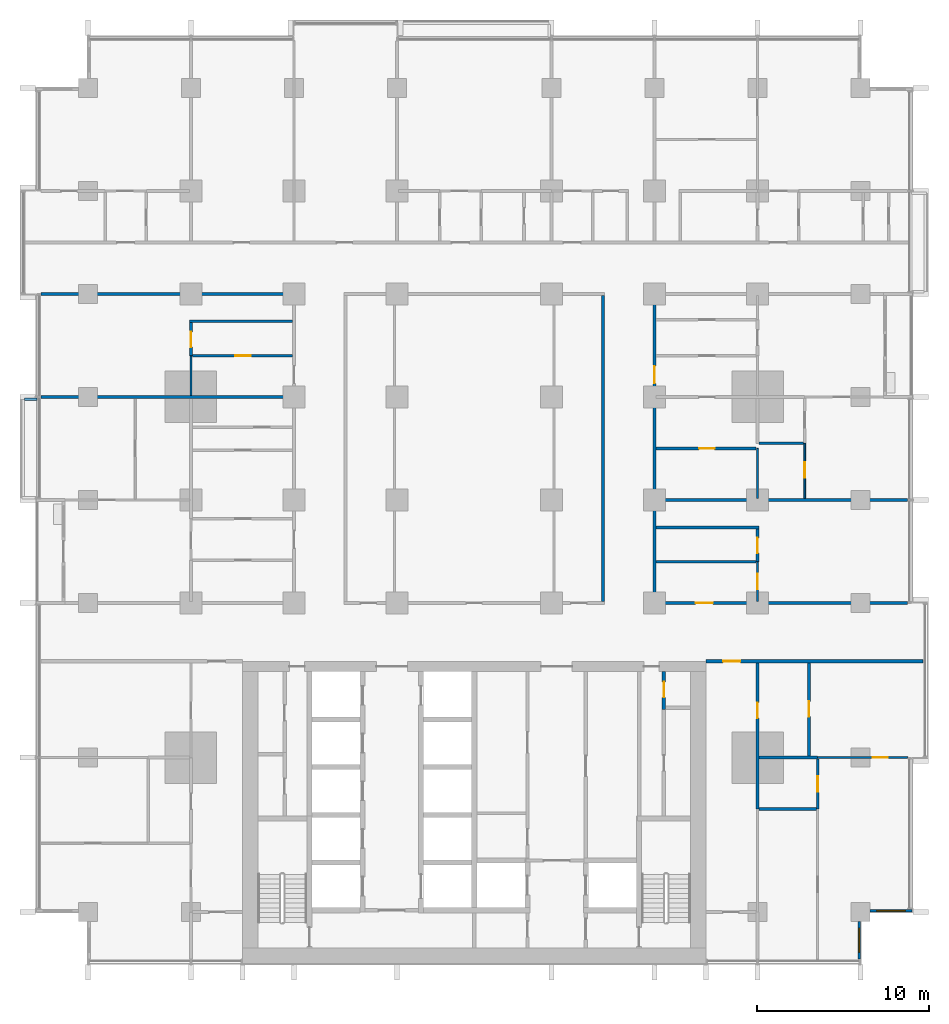
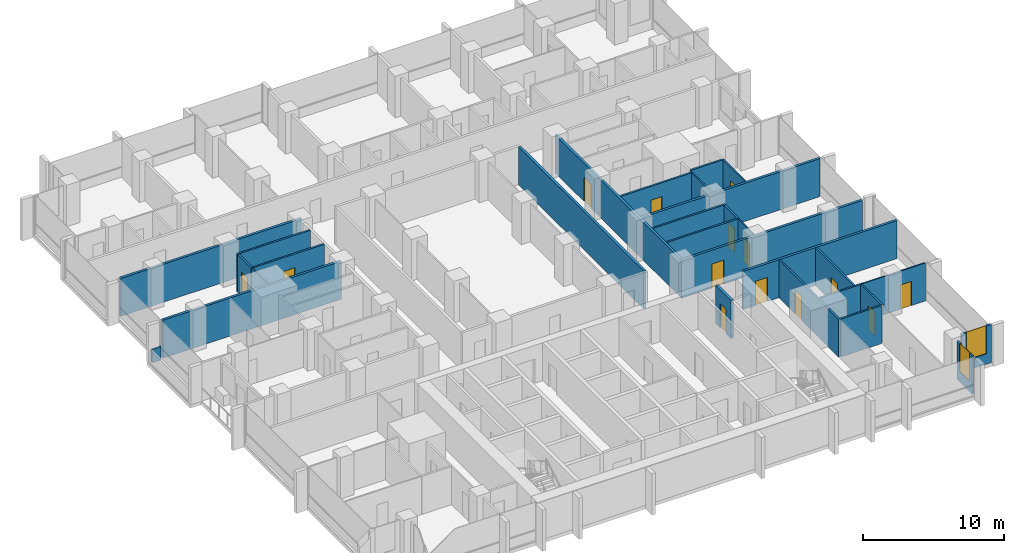
# One storey, part 10 of 18: 29 walls, 14 doors, 2 windows, 16 openings.
"""IFC4 building model written with IfcOpenShell, lengths in metres."""

from ifc_helpers import new_model, si_unit, direction, frame, frame_2d, origin, place, context, subcontext, project, spatial, rectangle, extrude, material, layer, layer_set, type_object, element, fill, save


model = new_model("IFC4")

# Units and contexts
model_context = context("Model", 3, precision=1e-05, world=origin(), true_north=direction((0.0, 1.0)))
body_context = subcontext(model_context, "Body", "Model", "MODEL_VIEW")
ifc_project = project(units=[si_unit("LENGTHUNIT", "METRE"), si_unit("AREAUNIT", "SQUARE_METRE"), si_unit("VOLUMEUNIT", "CUBIC_METRE"), si_unit("PLANEANGLEUNIT", "RADIAN"), si_unit("MASSUNIT", "GRAM", prefix="KILO")], contexts=[model_context])

# Site, building, storey
site_placement = place(None, origin())
site = spatial("IfcSite", under=ifc_project, at=site_placement, CompositionType="ELEMENT")
building_placement = place(site_placement, origin())
building = spatial("IfcBuilding", under=site, at=building_placement, Name="Finial Court Residences", CompositionType="ELEMENT")
storey_placement = place(building_placement, frame((0.0, 0.0, 36.10009765625)))
storey = spatial("IfcBuildingStorey", under=building, at=storey_placement, Name="L07", CompositionType="ELEMENT", Elevation=36.10009765625)

# Walls
ifc_material_1 = material(Name="Gypsum board")
ifc_layer_1 = layer(ifc_material_1, 0.02490234375)
ifc_material_2 = material(Name="Acoustic mineral wool in double frame")
ifc_layer_2 = layer(ifc_material_2, 0.14990234375)
ifc_layer_3 = layer(ifc_material_1, 0.02490234375)
ifc_layer_set_1 = layer_set([ifc_layer_1, ifc_layer_2, ifc_layer_3], Name="Acoustic party wall 200, 1 hour")
wall_type_1 = type_object("IfcWallType", Name="Acoustic party wall 200, 1 hour", PredefinedType="PARTITIONING", material=ifc_layer_set_1)
for number, where, z_axis, x_axis, name in (
    (1, (10.60009765625, 1.5, 0.0), (0.0, 0.0, 1.0), (1.0, 0.0, 0.0), "Partition L07-019"),
    (2, (-25.25, 7.5, 0.0), (0.0, 0.0, 1.0), (1.0, 0.0, 0.0), "Partition L07-025"),
):
    element("IfcWall", number, at=place(storey_placement, frame(where, z_axis=z_axis, x_axis=x_axis)), inside=storey, type_object=wall_type_1, Name=name, PredefinedType="PARTITIONING", context=body_context, shape_type="SweptSolid", body=[
        extrude(rectangle(XDim=14.64990234375, YDim=0.199951171875, at=frame_2d((7.324951171875, 0.0))), origin(), (0.0, 0.0, 1.0), 3.2998046875),
    ])

# Wall, opening, door
ifc_layer_4 = layer(ifc_material_1, 0.02490234375)
ifc_layer_5 = layer(ifc_material_2, 0.14990234375)
ifc_layer_6 = layer(ifc_material_1, 0.02490234375)
ifc_layer_set_2 = layer_set([ifc_layer_4, ifc_layer_5, ifc_layer_6], Name="Corridor wall 200, 1 hour")
wall_type_2 = type_object("IfcWallType", Name="Corridor wall 200, 1 hour", PredefinedType="PARTITIONING", material=ifc_layer_set_2)
wall_1_placement = place(storey_placement, frame((13.5, -7.89990234375, 0.0), z_axis=(0.0, 0.0, 1.0), x_axis=(1.0, 0.0, 0.0)))
wall_1 = element("IfcWall", 3, at=wall_1_placement, inside=storey, type_object=wall_type_2, Name="Partition L07-010", PredefinedType="PARTITIONING", context=body_context, shape_type="SweptSolid", body=[
    extrude(rectangle(XDim=12.64990234375, YDim=0.199951171875, at=frame_2d((6.324951171875, 0.0))), origin(), (0.0, 0.0, 1.0), 3.2998046875),
])
opening_1_placement = place(wall_1_placement, frame((1.0, 0.0, 0.0)))
opening_1 = element("IfcOpeningElement", 4, at=opening_1_placement, cuts=wall_1, Name="Opening L07-D006", PredefinedType="OPENING", context=body_context, shape_type="SweptSolid", body=[
    extrude(rectangle(XDim=1.0, YDim=2.10009765625, at=frame_2d((0.5, 1.050048828125))), frame((0.0, 0.10986328125, 0.0), z_axis=(0.0, -1.0, 0.0), x_axis=(1.0, 0.0, 0.0)), (0.0, 0.0, 1.0), 0.219970703125),
])
ifc_material_3 = material(Name="Timber door leaf in hollow metal frame", Category="wood")
door_type_1 = type_object("IfcDoorType", Name="Fire door set 1000 x 2100, 30 minutes", OperationType="SINGLE_SWING_LEFT", PredefinedType="DOOR", material=ifc_material_3)
door_1_placement = place(opening_1_placement, origin())
door_1 = element("IfcDoor", 5, at=door_1_placement, inside=storey, type_object=door_type_1, Name="Door L07-D006", OperationType="SINGLE_SWING_LEFT", OverallHeight=2.10009765625, OverallWidth=1.0, PredefinedType="DOOR", context=body_context, shape_type="SweptSolid", body=[
    extrude(rectangle(XDim=1.0, YDim=2.10009765625, at=frame_2d((0.5, 1.050048828125))), frame((0.0, 0.02490234375, 0.0), z_axis=(0.0, -1.0, 0.0), x_axis=(1.0, 0.0, 0.0)), (0.0, 0.0, 1.0), 0.050048828125),
])
fill(opening_1, door_1)

wall_2_placement = place(storey_placement, frame((10.39990234375, -4.5, 0.0), z_axis=(0.0, 0.0, 1.0), x_axis=(1.0, 0.0, 0.0)))
wall_2 = element("IfcWall", 6, at=wall_2_placement, inside=storey, type_object=wall_type_2, Name="Partition L07-013", PredefinedType="PARTITIONING", context=body_context, shape_type="SweptSolid", body=[
    extrude(rectangle(XDim=14.85009765625, YDim=0.199951171875, at=frame_2d((7.425048828125, 0.0))), origin(), (0.0, 0.0, 1.0), 3.2998046875),
])
opening_2_placement = place(wall_2_placement, frame((2.5, 0.0, 0.0)))
opening_2 = element("IfcOpeningElement", 7, at=opening_2_placement, cuts=wall_2, Name="Opening L07-D010", PredefinedType="OPENING", context=body_context, shape_type="SweptSolid", body=[
    extrude(rectangle(XDim=1.0, YDim=2.10009765625, at=frame_2d((0.5, 1.050048828125))), frame((0.0, 0.10986328125, 0.0), z_axis=(0.0, -1.0, 0.0), x_axis=(1.0, 0.0, 0.0)), (0.0, 0.0, 1.0), 0.219970703125),
])
door_2_placement = place(opening_2_placement, origin())
door_2 = element("IfcDoor", 8, at=door_2_placement, inside=storey, type_object=door_type_1, Name="Door L07-D010", OperationType="SINGLE_SWING_RIGHT", OverallHeight=2.10009765625, OverallWidth=1.0, PredefinedType="DOOR", context=body_context, shape_type="SweptSolid", body=[
    extrude(rectangle(XDim=1.0, YDim=2.10009765625, at=frame_2d((0.5, 1.050048828125))), frame((0.0, 0.02490234375, 0.0), z_axis=(0.0, -1.0, 0.0), x_axis=(1.0, 0.0, 0.0)), (0.0, 0.0, 1.0), 0.050048828125),
])
fill(opening_2, door_2)

# Walls
wall_3_placement = place(storey_placement, frame((-25.25, 13.5, 0.0), z_axis=(0.0, 0.0, 1.0), x_axis=(1.0, 0.0, 0.0)))
element("IfcWall", 9, at=wall_3_placement, inside=storey, type_object=wall_type_2, Name="Partition L07-031", PredefinedType="PARTITIONING", context=body_context, shape_type="SweptSolid", body=[
    extrude(rectangle(XDim=14.85009765625, YDim=0.199951171875, at=frame_2d((7.425048828125, 0.0))), origin(), (0.0, 0.0, 1.0), 3.2998046875),
])
wall_4_placement = place(storey_placement, frame((7.5, -4.39990234375, 0.0), z_axis=(0.0, 0.0, 1.0), x_axis=(0.0, 1.0, 0.0)))
element("IfcWall", 10, at=wall_4_placement, inside=storey, type_object=wall_type_2, Name="Partition L07-073", PredefinedType="PARTITIONING", context=body_context, shape_type="SweptSolid", body=[
    extrude(rectangle(XDim=17.7998046875, YDim=0.199951171875, at=frame_2d((8.89990234375, 0.0))), origin(), (0.0, 0.0, 1.0), 3.2998046875),
])

# Wall, opening, door
wall_5_placement = place(storey_placement, frame((10.5, -4.39990234375, 0.0), z_axis=(0.0, 0.0, 1.0), x_axis=(0.0, 1.0, 0.0)))
wall_5 = element("IfcWall", 11, at=wall_5_placement, inside=storey, type_object=wall_type_2, Name="Partition L07-075", PredefinedType="PARTITIONING", context=body_context, shape_type="SweptSolid", body=[
    extrude(rectangle(XDim=17.7998046875, YDim=0.199951171875, at=frame_2d((8.89990234375, 0.0))), origin(), (0.0, 0.0, 1.0), 3.2998046875),
])
opening_3_placement = place(wall_5_placement, frame((12.699951171875, 0.0, 0.0)))
opening_3 = element("IfcOpeningElement", 12, at=opening_3_placement, cuts=wall_5, Name="Opening L07-D047", PredefinedType="OPENING", context=body_context, shape_type="SweptSolid", body=[
    extrude(rectangle(XDim=1.0, YDim=2.10009765625, at=frame_2d((0.5, 1.050048828125))), frame((0.0, 0.10986328125, 0.0), z_axis=(0.0, -1.0, 0.0), x_axis=(1.0, 0.0, 0.0)), (0.0, 0.0, 1.0), 0.219970703125),
])
door_3_placement = place(opening_3_placement, origin())
door_3 = element("IfcDoor", 13, at=door_3_placement, inside=storey, type_object=door_type_1, Name="Door L07-D047", OperationType="SINGLE_SWING_RIGHT", OverallHeight=2.10009765625, OverallWidth=1.0, PredefinedType="DOOR", context=body_context, shape_type="SweptSolid", body=[
    extrude(rectangle(XDim=1.0, YDim=2.10009765625, at=frame_2d((0.5, 1.050048828125))), frame((0.0, 0.02490234375, 0.0), z_axis=(0.0, -1.0, 0.0), x_axis=(1.0, 0.0, 0.0)), (0.0, 0.0, 1.0), 0.050048828125),
])
fill(opening_3, door_3)

ifc_layer_7 = layer(ifc_material_1, 0.012451171875)
ifc_material_4 = material(Name="Mineral wool in light-gauge frame")
ifc_layer_8 = layer(ifc_material_4, 0.074951171875)
ifc_layer_9 = layer(ifc_material_1, 0.012451171875)
ifc_layer_set_3 = layer_set([ifc_layer_7, ifc_layer_8, ifc_layer_9], Name="Gypsum board partition 100")
wall_type_3 = type_object("IfcWallType", Name="Gypsum board partition 100", PredefinedType="PARTITIONING", material=ifc_layer_set_3)
wall_6_placement = place(storey_placement, frame((20.0, -13.5, 0.0), z_axis=(0.0, 0.0, 1.0), x_axis=(1.0, 0.0, 0.0)))
wall_6 = element("IfcWall", 14, at=wall_6_placement, inside=storey, type_object=wall_type_3, Name="Partition L07-006", PredefinedType="PARTITIONING", context=body_context, shape_type="SweptSolid", body=[
    extrude(rectangle(XDim=5.25, YDim=0.10009765625, at=frame_2d((2.625, 0.0))), origin(), (0.0, 0.0, 1.0), 3.2998046875),
])
opening_4_placement = place(wall_6_placement, frame((3.199951171875, 0.0, 0.0)))
opening_4 = element("IfcOpeningElement", 15, at=opening_4_placement, cuts=wall_6, Name="Opening L07-D004", PredefinedType="OPENING", context=body_context, shape_type="SweptSolid", body=[
    extrude(rectangle(XDim=0.89990234375, YDim=2.10009765625, at=frame_2d((0.449951171875, 1.050048828125))), frame((0.0, 0.06005859375, 0.0), z_axis=(0.0, -1.0, 0.0), x_axis=(1.0, 0.0, 0.0)), (0.0, 0.0, 1.0), 0.1201171875),
])
ifc_material_5 = material(Name="Timber door leaf in timber frame", Category="wood")
door_type_2 = type_object("IfcDoorType", Name="Door set 900 x 2100", OperationType="SINGLE_SWING_LEFT", PredefinedType="DOOR", material=ifc_material_5)
door_4_placement = place(opening_4_placement, origin())
door_4 = element("IfcDoor", 16, at=door_4_placement, inside=storey, type_object=door_type_2, Name="Door L07-D004", OperationType="SINGLE_SWING_RIGHT", OverallHeight=2.10009765625, OverallWidth=0.89990234375, PredefinedType="DOOR", context=body_context, shape_type="SweptSolid", body=[
    extrude(rectangle(XDim=0.89990234375, YDim=2.10009765625, at=frame_2d((0.449951171875, 1.050048828125))), frame((0.0, 0.02490234375, 0.0), z_axis=(0.0, -1.0, 0.0), x_axis=(1.0, 0.0, 0.0)), (0.0, 0.0, 1.0), 0.050048828125),
])
fill(opening_4, door_4)

# Wall
wall_7_placement = place(storey_placement, frame((-16.5, 7.60009765625, 0.0), z_axis=(0.0, 0.0, 1.0), x_axis=(0.0, 1.0, 0.0)))
element("IfcWall", 17, at=wall_7_placement, inside=storey, type_object=wall_type_3, Name="Partition L07-055", PredefinedType="PARTITIONING", context=body_context, shape_type="SweptSolid", body=[
    extrude(rectangle(XDim=2.2998046875, YDim=0.10009765625, at=frame_2d((1.14990234375, 0.0))), origin(), (0.0, 0.0, 1.0), 3.2998046875),
])

# Wall, opening, door
wall_8_placement = place(storey_placement, frame((16.5, -4.39990234375, 0.0), z_axis=(0.0, 0.0, 1.0), x_axis=(0.0, 1.0, 0.0)))
wall_8 = element("IfcWall", 18, at=wall_8_placement, inside=storey, type_object=wall_type_3, Name="Partition L07-079", PredefinedType="PARTITIONING", context=body_context, shape_type="SweptSolid", body=[
    extrude(rectangle(XDim=2.2998046875, YDim=0.10009765625, at=frame_2d((1.14990234375, 0.0))), origin(), (0.0, 0.0, 1.0), 3.2998046875),
])
opening_5_placement = place(wall_8_placement, frame((0.699951171875, 0.0, 0.0)))
opening_5 = element("IfcOpeningElement", 19, at=opening_5_placement, cuts=wall_8, Name="Opening L07-D048", PredefinedType="OPENING", context=body_context, shape_type="SweptSolid", body=[
    extrude(rectangle(XDim=0.89990234375, YDim=2.10009765625, at=frame_2d((0.449951171875, 1.050048828125))), frame((0.0, 0.06005859375, 0.0), z_axis=(0.0, -1.0, 0.0), x_axis=(1.0, 0.0, 0.0)), (0.0, 0.0, 1.0), 0.1201171875),
])
door_5_placement = place(opening_5_placement, origin())
door_5 = element("IfcDoor", 20, at=door_5_placement, inside=storey, type_object=door_type_2, Name="Door L07-D048", OperationType="SINGLE_SWING_LEFT", OverallHeight=2.10009765625, OverallWidth=0.89990234375, PredefinedType="DOOR", context=body_context, shape_type="SweptSolid", body=[
    extrude(rectangle(XDim=0.89990234375, YDim=2.10009765625, at=frame_2d((0.449951171875, 1.050048828125))), frame((0.0, 0.02490234375, 0.0), z_axis=(0.0, -1.0, 0.0), x_axis=(1.0, 0.0, 0.0)), (0.0, 0.0, 1.0), 0.050048828125),
])
fill(opening_5, door_5)

# Wall
wall_9_placement = place(storey_placement, frame((16.5, 1.60009765625, 0.0), z_axis=(0.0, 0.0, 1.0), x_axis=(0.0, 1.0, 0.0)))
element("IfcWall", 21, at=wall_9_placement, inside=storey, type_object=wall_type_3, Name="Partition L07-080", PredefinedType="PARTITIONING", context=body_context, shape_type="SweptSolid", body=[
    extrude(rectangle(XDim=2.89990234375, YDim=0.10009765625, at=frame_2d((1.449951171875, 0.0))), origin(), (0.0, 0.0, 1.0), 3.2998046875),
])

# Wall, opening, door
wall_10_placement = place(storey_placement, frame((19.25, 1.60009765625, 0.0), z_axis=(0.0, 0.0, 1.0), x_axis=(0.0, 1.0, 0.0)))
wall_10 = element("IfcWall", 22, at=wall_10_placement, inside=storey, type_object=wall_type_3, Name="Partition L07-091", PredefinedType="PARTITIONING", context=body_context, shape_type="SweptSolid", body=[
    extrude(rectangle(XDim=3.199951171875, YDim=0.10009765625, at=frame_2d((1.60009765625, 0.0))), origin(), (0.0, 0.0, 1.0), 3.2998046875),
])
opening_6_placement = place(wall_10_placement, frame((1.199951171875, 0.0, 0.0)))
opening_6 = element("IfcOpeningElement", 23, at=opening_6_placement, cuts=wall_10, Name="Opening L07-D055", PredefinedType="OPENING", context=body_context, shape_type="SweptSolid", body=[
    extrude(rectangle(XDim=0.89990234375, YDim=2.10009765625, at=frame_2d((0.449951171875, 1.050048828125))), frame((0.0, 0.06005859375, 0.0), z_axis=(0.0, -1.0, 0.0), x_axis=(1.0, 0.0, 0.0)), (0.0, 0.0, 1.0), 0.1201171875),
])
door_6_placement = place(opening_6_placement, origin())
door_6 = element("IfcDoor", 24, at=door_6_placement, inside=storey, type_object=door_type_2, Name="Door L07-D055", OperationType="SINGLE_SWING_RIGHT", OverallHeight=2.10009765625, OverallWidth=0.89990234375, PredefinedType="DOOR", context=body_context, shape_type="SweptSolid", body=[
    extrude(rectangle(XDim=0.89990234375, YDim=2.10009765625, at=frame_2d((0.449951171875, 1.050048828125))), frame((0.0, 0.02490234375, 0.0), z_axis=(0.0, -1.0, 0.0), x_axis=(1.0, 0.0, 0.0)), (0.0, 0.0, 1.0), 0.050048828125),
])
fill(opening_6, door_6)

# Walls
ifc_material_6 = material(Name="Moisture-resistant gypsum board")
ifc_layer_10 = layer(ifc_material_6, 0.012451171875)
ifc_layer_11 = layer(ifc_material_4, 0.125)
ifc_layer_12 = layer(ifc_material_6, 0.012451171875)
ifc_layer_set_4 = layer_set([ifc_layer_10, ifc_layer_11, ifc_layer_12], Name="Gypsum board wet-area partition 150")
wall_type_4 = type_object("IfcWallType", Name="Gypsum board wet-area partition 150", PredefinedType="PARTITIONING", material=ifc_layer_set_4)
wall_11_placement = place(storey_placement, frame((16.574951171875, -16.5, 0.0), z_axis=(0.0, 0.0, 1.0), x_axis=(1.0, 0.0, 0.0)))
element("IfcWall", 25, at=wall_11_placement, inside=storey, type_object=wall_type_4, Name="Partition L07-004", PredefinedType="PARTITIONING", context=body_context, shape_type="SweptSolid", body=[
    extrude(rectangle(XDim=3.35009765625, YDim=0.14990234375, at=frame_2d((1.675048828125, 0.0))), origin(), (0.0, 0.0, 1.0), 3.2998046875),
])
wall_12_placement = place(storey_placement, frame((16.574951171875, -13.5, 0.0), z_axis=(0.0, 0.0, 1.0), x_axis=(1.0, 0.0, 0.0)))
element("IfcWall", 26, at=wall_12_placement, inside=storey, type_object=wall_type_4, Name="Partition L07-008", PredefinedType="PARTITIONING", context=body_context, shape_type="SweptSolid", body=[
    extrude(rectangle(XDim=3.425048828125, YDim=0.14990234375, at=frame_2d((1.71240234375, 0.0))), origin(), (0.0, 0.0, 1.0), 3.2998046875),
])
wall_13_placement = place(storey_placement, frame((10.60009765625, -2.10009765625, 0.0), z_axis=(0.0, 0.0, 1.0), x_axis=(1.0, 0.0, 0.0)))
element("IfcWall", 27, at=wall_13_placement, inside=storey, type_object=wall_type_4, Name="Partition L07-014", PredefinedType="PARTITIONING", context=body_context, shape_type="SweptSolid", body=[
    extrude(rectangle(XDim=5.824951171875, YDim=0.14990234375, at=frame_2d((2.91259765625, 0.0))), origin(), (0.0, 0.0, 1.0), 3.2998046875),
])
wall_14_placement = place(storey_placement, frame((10.60009765625, -0.10009765625, 0.0), z_axis=(0.0, 0.0, 1.0), x_axis=(1.0, 0.0, 0.0)))
element("IfcWall", 28, at=wall_14_placement, inside=storey, type_object=wall_type_4, Name="Partition L07-016", PredefinedType="PARTITIONING", context=body_context, shape_type="SweptSolid", body=[
    extrude(rectangle(XDim=5.974853515625, YDim=0.14990234375, at=frame_2d((2.9873046875, 0.0))), origin(), (0.0, 0.0, 1.0), 3.2998046875),
])

# Wall, opening, door
wall_15_placement = place(storey_placement, frame((10.60009765625, 4.5, 0.0), z_axis=(0.0, 0.0, 1.0), x_axis=(1.0, 0.0, 0.0)))
wall_15 = element("IfcWall", 29, at=wall_15_placement, inside=storey, type_object=wall_type_4, Name="Partition L07-021", PredefinedType="PARTITIONING", context=body_context, shape_type="SweptSolid", body=[
    extrude(rectangle(XDim=5.824951171875, YDim=0.14990234375, at=frame_2d((2.91259765625, 0.0))), origin(), (0.0, 0.0, 1.0), 3.2998046875),
])
opening_7_placement = place(wall_15_placement, frame((2.5, 0.0, 0.0)))
opening_7 = element("IfcOpeningElement", 30, at=opening_7_placement, cuts=wall_15, Name="Opening L07-D015", PredefinedType="OPENING", context=body_context, shape_type="SweptSolid", body=[
    extrude(rectangle(XDim=0.89990234375, YDim=2.10009765625, at=frame_2d((0.449951171875, 1.050048828125))), frame((0.0, 0.0849609375, 0.0), z_axis=(0.0, -1.0, 0.0), x_axis=(1.0, 0.0, 0.0)), (0.0, 0.0, 1.0), 0.169921875),
])
door_7_placement = place(opening_7_placement, origin())
door_7 = element("IfcDoor", 31, at=door_7_placement, inside=storey, type_object=door_type_2, Name="Door L07-D015", OperationType="SINGLE_SWING_LEFT", OverallHeight=2.10009765625, OverallWidth=0.89990234375, PredefinedType="DOOR", context=body_context, shape_type="SweptSolid", body=[
    extrude(rectangle(XDim=0.89990234375, YDim=2.10009765625, at=frame_2d((0.449951171875, 1.050048828125))), frame((0.0, 0.02490234375, 0.0), z_axis=(0.0, -1.0, 0.0), x_axis=(1.0, 0.0, 0.0)), (0.0, 0.0, 1.0), 0.050048828125),
])
fill(opening_7, door_7)

# Wall
wall_16_placement = place(storey_placement, frame((16.574951171875, 4.800048828125, 0.0), z_axis=(0.0, 0.0, 1.0), x_axis=(1.0, 0.0, 0.0)))
element("IfcWall", 32, at=wall_16_placement, inside=storey, type_object=wall_type_4, Name="Partition L07-022", PredefinedType="PARTITIONING", context=body_context, shape_type="SweptSolid", body=[
    extrude(rectangle(XDim=2.60009765625, YDim=0.14990234375, at=frame_2d((1.300048828125, 0.0))), origin(), (0.0, 0.0, 1.0), 3.2998046875),
])

# Wall, opening, door
wall_17_placement = place(storey_placement, frame((-16.425048828125, 9.89990234375, 0.0), z_axis=(0.0, 0.0, 1.0), x_axis=(1.0, 0.0, 0.0)))
wall_17 = element("IfcWall", 33, at=wall_17_placement, inside=storey, type_object=wall_type_4, Name="Partition L07-027", PredefinedType="PARTITIONING", context=body_context, shape_type="SweptSolid", body=[
    extrude(rectangle(XDim=5.824951171875, YDim=0.14990234375, at=frame_2d((2.91259765625, 0.0))), origin(), (0.0, 0.0, 1.0), 3.2998046875),
])
opening_8_placement = place(wall_17_placement, frame((2.5, 0.0, 0.0)))
opening_8 = element("IfcOpeningElement", 34, at=opening_8_placement, cuts=wall_17, Name="Opening L07-D019", PredefinedType="OPENING", context=body_context, shape_type="SweptSolid", body=[
    extrude(rectangle(XDim=0.89990234375, YDim=2.10009765625, at=frame_2d((0.449951171875, 1.050048828125))), frame((0.0, 0.0849609375, 0.0), z_axis=(0.0, -1.0, 0.0), x_axis=(1.0, 0.0, 0.0)), (0.0, 0.0, 1.0), 0.169921875),
])
door_8_placement = place(opening_8_placement, origin())
door_8 = element("IfcDoor", 35, at=door_8_placement, inside=storey, type_object=door_type_2, Name="Door L07-D019", OperationType="SINGLE_SWING_RIGHT", OverallHeight=2.10009765625, OverallWidth=0.89990234375, PredefinedType="DOOR", context=body_context, shape_type="SweptSolid", body=[
    extrude(rectangle(XDim=0.89990234375, YDim=2.10009765625, at=frame_2d((0.449951171875, 1.050048828125))), frame((0.0, 0.02490234375, 0.0), z_axis=(0.0, -1.0, 0.0), x_axis=(1.0, 0.0, 0.0)), (0.0, 0.0, 1.0), 0.050048828125),
])
fill(opening_8, door_8)

# Wall
wall_18_placement = place(storey_placement, frame((-16.574951171875, 11.89990234375, 0.0), z_axis=(0.0, 0.0, 1.0), x_axis=(1.0, 0.0, 0.0)))
element("IfcWall", 36, at=wall_18_placement, inside=storey, type_object=wall_type_4, Name="Partition L07-029", PredefinedType="PARTITIONING", context=body_context, shape_type="SweptSolid", body=[
    extrude(rectangle(XDim=5.974853515625, YDim=0.14990234375, at=frame_2d((2.9873046875, 0.0))), origin(), (0.0, 0.0, 1.0), 3.2998046875),
])

# Wall, opening, door
wall_19_placement = place(storey_placement, frame((-16.5, 9.89990234375, 0.0), z_axis=(0.0, 0.0, 1.0), x_axis=(0.0, 1.0, 0.0)))
wall_19 = element("IfcWall", 37, at=wall_19_placement, inside=storey, type_object=wall_type_4, Name="Partition L07-060", PredefinedType="PARTITIONING", context=body_context, shape_type="SweptSolid", body=[
    extrude(rectangle(XDim=1.925048828125, YDim=0.14990234375, at=frame_2d((0.96240234375, 0.0))), origin(), (0.0, 0.0, 1.0), 3.2998046875),
])
opening_9_placement = place(wall_19_placement, frame((0.5, 0.0, 0.0)))
opening_9 = element("IfcOpeningElement", 38, at=opening_9_placement, cuts=wall_19, Name="Opening L07-D041", PredefinedType="OPENING", context=body_context, shape_type="SweptSolid", body=[
    extrude(rectangle(XDim=0.89990234375, YDim=2.10009765625, at=frame_2d((0.449951171875, 1.050048828125))), frame((0.0, 0.0849609375, 0.0), z_axis=(0.0, -1.0, 0.0), x_axis=(1.0, 0.0, 0.0)), (0.0, 0.0, 1.0), 0.169921875),
])
door_9_placement = place(opening_9_placement, origin())
door_9 = element("IfcDoor", 39, at=door_9_placement, inside=storey, type_object=door_type_2, Name="Door L07-D041", OperationType="SINGLE_SWING_LEFT", OverallHeight=2.10009765625, OverallWidth=0.89990234375, PredefinedType="DOOR", context=body_context, shape_type="SweptSolid", body=[
    extrude(rectangle(XDim=0.89990234375, YDim=2.10009765625, at=frame_2d((0.449951171875, 1.050048828125))), frame((0.0, 0.02490234375, 0.0), z_axis=(0.0, -1.0, 0.0), x_axis=(1.0, 0.0, 0.0)), (0.0, 0.0, 1.0), 0.050048828125),
])
fill(opening_9, door_9)

wall_20_placement = place(storey_placement, frame((16.5, -16.5, 0.0), z_axis=(0.0, 0.0, 1.0), x_axis=(0.0, 1.0, 0.0)))
wall_20 = element("IfcWall", 40, at=wall_20_placement, inside=storey, type_object=wall_type_4, Name="Partition L07-085", PredefinedType="PARTITIONING", context=body_context, shape_type="SweptSolid", body=[
    extrude(rectangle(XDim=8.5, YDim=0.14990234375, at=frame_2d((4.25, 0.0))), origin(), (0.0, 0.0, 1.0), 3.2998046875),
])
opening_10_placement = place(wall_20_placement, frame((5.300048828125, 0.0, 0.0)))
opening_10 = element("IfcOpeningElement", 41, at=opening_10_placement, cuts=wall_20, Name="Opening L07-D050", PredefinedType="OPENING", context=body_context, shape_type="SweptSolid", body=[
    extrude(rectangle(XDim=0.89990234375, YDim=2.10009765625, at=frame_2d((0.449951171875, 1.050048828125))), frame((0.0, 0.0849609375, 0.0), z_axis=(0.0, -1.0, 0.0), x_axis=(1.0, 0.0, 0.0)), (0.0, 0.0, 1.0), 0.169921875),
])
door_10_placement = place(opening_10_placement, origin())
door_10 = element("IfcDoor", 42, at=door_10_placement, inside=storey, type_object=door_type_2, Name="Door L07-D050", OperationType="SINGLE_SWING_RIGHT", OverallHeight=2.10009765625, OverallWidth=0.89990234375, PredefinedType="DOOR", context=body_context, shape_type="SweptSolid", body=[
    extrude(rectangle(XDim=0.89990234375, YDim=2.10009765625, at=frame_2d((0.449951171875, 1.050048828125))), frame((0.0, 0.02490234375, 0.0), z_axis=(0.0, -1.0, 0.0), x_axis=(1.0, 0.0, 0.0)), (0.0, 0.0, 1.0), 0.050048828125),
])
fill(opening_10, door_10)

wall_21_placement = place(storey_placement, frame((16.5, -2.10009765625, 0.0), z_axis=(0.0, 0.0, 1.0), x_axis=(0.0, 1.0, 0.0)))
wall_21 = element("IfcWall", 43, at=wall_21_placement, inside=storey, type_object=wall_type_4, Name="Partition L07-086", PredefinedType="PARTITIONING", context=body_context, shape_type="SweptSolid", body=[
    extrude(rectangle(XDim=1.925048828125, YDim=0.14990234375, at=frame_2d((0.96240234375, 0.0))), origin(), (0.0, 0.0, 1.0), 3.2998046875),
])
opening_11_placement = place(wall_21_placement, frame((0.5, 0.0, 0.0)))
opening_11 = element("IfcOpeningElement", 44, at=opening_11_placement, cuts=wall_21, Name="Opening L07-D051", PredefinedType="OPENING", context=body_context, shape_type="SweptSolid", body=[
    extrude(rectangle(XDim=0.89990234375, YDim=2.10009765625, at=frame_2d((0.449951171875, 1.050048828125))), frame((0.0, 0.0849609375, 0.0), z_axis=(0.0, -1.0, 0.0), x_axis=(1.0, 0.0, 0.0)), (0.0, 0.0, 1.0), 0.169921875),
])
door_11_placement = place(opening_11_placement, origin())
door_11 = element("IfcDoor", 45, at=door_11_placement, inside=storey, type_object=door_type_2, Name="Door L07-D051", OperationType="SINGLE_SWING_LEFT", OverallHeight=2.10009765625, OverallWidth=0.89990234375, PredefinedType="DOOR", context=body_context, shape_type="SweptSolid", body=[
    extrude(rectangle(XDim=0.89990234375, YDim=2.10009765625, at=frame_2d((0.449951171875, 1.050048828125))), frame((0.0, 0.02490234375, 0.0), z_axis=(0.0, -1.0, 0.0), x_axis=(1.0, 0.0, 0.0)), (0.0, 0.0, 1.0), 0.050048828125),
])
fill(opening_11, door_11)

wall_22_placement = place(storey_placement, frame((19.5, -13.425048828125, 0.0), z_axis=(0.0, 0.0, 1.0), x_axis=(0.0, 1.0, 0.0)))
wall_22 = element("IfcWall", 46, at=wall_22_placement, inside=storey, type_object=wall_type_4, Name="Partition L07-093", PredefinedType="PARTITIONING", context=body_context, shape_type="SweptSolid", body=[
    extrude(rectangle(XDim=5.425048828125, YDim=0.14990234375, at=frame_2d((2.71240234375, 0.0))), origin(), (0.0, 0.0, 1.0), 3.2998046875),
])
opening_12_placement = place(wall_22_placement, frame((2.300048828125, 0.0, 0.0)))
opening_12 = element("IfcOpeningElement", 47, at=opening_12_placement, cuts=wall_22, Name="Opening L07-D057", PredefinedType="OPENING", context=body_context, shape_type="SweptSolid", body=[
    extrude(rectangle(XDim=0.89990234375, YDim=2.10009765625, at=frame_2d((0.449951171875, 1.050048828125))), frame((0.0, 0.0849609375, 0.0), z_axis=(0.0, -1.0, 0.0), x_axis=(1.0, 0.0, 0.0)), (0.0, 0.0, 1.0), 0.169921875),
])
door_12_placement = place(opening_12_placement, origin())
door_12 = element("IfcDoor", 48, at=door_12_placement, inside=storey, type_object=door_type_2, Name="Door L07-D057", OperationType="SINGLE_SWING_RIGHT", OverallHeight=2.10009765625, OverallWidth=0.89990234375, PredefinedType="DOOR", context=body_context, shape_type="SweptSolid", body=[
    extrude(rectangle(XDim=0.89990234375, YDim=2.10009765625, at=frame_2d((0.449951171875, 1.050048828125))), frame((0.0, 0.02490234375, 0.0), z_axis=(0.0, -1.0, 0.0), x_axis=(1.0, 0.0, 0.0)), (0.0, 0.0, 1.0), 0.050048828125),
])
fill(opening_12, door_12)

wall_23_placement = place(storey_placement, frame((20.0, -16.5, 0.0), z_axis=(0.0, 0.0, 1.0), x_axis=(0.0, 1.0, 0.0)))
wall_23 = element("IfcWall", 49, at=wall_23_placement, inside=storey, type_object=wall_type_4, Name="Partition L07-095", PredefinedType="PARTITIONING", context=body_context, shape_type="SweptSolid", body=[
    extrude(rectangle(XDim=2.925048828125, YDim=0.14990234375, at=frame_2d((1.46240234375, 0.0))), origin(), (0.0, 0.0, 1.0), 3.2998046875),
])
opening_13_placement = place(wall_23_placement, frame((1.0, 0.0, 0.0)))
opening_13 = element("IfcOpeningElement", 50, at=opening_13_placement, cuts=wall_23, Name="Opening L07-D059", PredefinedType="OPENING", context=body_context, shape_type="SweptSolid", body=[
    extrude(rectangle(XDim=0.89990234375, YDim=2.10009765625, at=frame_2d((0.449951171875, 1.050048828125))), frame((0.0, 0.0849609375, 0.0), z_axis=(0.0, -1.0, 0.0), x_axis=(1.0, 0.0, 0.0)), (0.0, 0.0, 1.0), 0.169921875),
])
door_13_placement = place(opening_13_placement, origin())
door_13 = element("IfcDoor", 51, at=door_13_placement, inside=storey, type_object=door_type_2, Name="Door L07-D059", OperationType="SINGLE_SWING_LEFT", OverallHeight=2.10009765625, OverallWidth=0.89990234375, PredefinedType="DOOR", context=body_context, shape_type="SweptSolid", body=[
    extrude(rectangle(XDim=0.89990234375, YDim=2.10009765625, at=frame_2d((0.449951171875, 1.050048828125))), frame((0.0, 0.02490234375, 0.0), z_axis=(0.0, -1.0, 0.0), x_axis=(1.0, 0.0, 0.0)), (0.0, 0.0, 1.0), 0.050048828125),
])
fill(opening_13, door_13)

# Wall
ifc_material_7 = material(Name="Concrete C35/45", Category="concrete")
ifc_layer_13 = layer(ifc_material_7, 0.14990234375)
ifc_layer_set_5 = layer_set([ifc_layer_13], Name="Ledge parapet, Concrete C35/45 150")
wall_type_5 = type_object("IfcWallType", Name="Ledge parapet, Concrete C35/45 150", PredefinedType="PARAPET", material=ifc_layer_set_5)
wall_24_placement = place(storey_placement, frame((-26.199951171875, 7.375, 0.0), z_axis=(0.0, 0.0, 1.0), x_axis=(1.0, 0.0, 0.0)))
element("IfcWall", 52, at=wall_24_placement, inside=storey, type_object=wall_type_5, Name="E-L07-LED1-P3", PredefinedType="PARAPET", context=body_context, shape_type="SweptSolid", body=[
    extrude(rectangle(XDim=0.739990234375, YDim=0.14990234375, at=frame_2d((0.3701171875, 0.0))), origin(), (0.0, 0.0, 1.0), 1.14990234375),
])

# Wall, opening, window
ifc_material_8 = material(Name="Natural limestone", Category="masonry")
ifc_layer_14 = layer(ifc_material_8, 0.14990234375)
ifc_layer_set_6 = layer_set([ifc_layer_14], Name="Limestone clad wall 150")
wall_type_6 = type_object("IfcWallType", Name="Limestone clad wall 150", PredefinedType="SOLIDWALL", material=ifc_layer_set_6)
wall_25_placement = place(storey_placement, frame((22.425048828125, -23.050048828125, 0.0), z_axis=(0.0, 0.0, 1.0), x_axis=(0.0, -1.0, 0.0)))
wall_25 = element("IfcWall", 53, at=wall_25_placement, inside=storey, type_object=wall_type_6, Name="E-L07-NWE16", PredefinedType="SOLIDWALL", context=body_context, shape_type="SweptSolid", body=[
    extrude(rectangle(XDim=2.199951171875, YDim=0.14990234375, at=frame_2d((1.10009765625, 0.0))), origin(), (0.0, 0.0, 1.0), 3.2998046875),
])
opening_14_placement = place(wall_25_placement, frame((0.39990234375, 0.0, 0.89990234375)))
opening_14 = element("IfcOpeningElement", 54, at=opening_14_placement, cuts=wall_25, Name="Opening WE07-03", PredefinedType="OPENING", context=body_context, shape_type="SweptSolid", body=[
    extrude(rectangle(XDim=1.39990234375, YDim=2.39990234375, at=frame_2d((0.699951171875, 1.199951171875))), frame((0.0, 0.0849609375, 0.0), z_axis=(0.0, -1.0, 0.0), x_axis=(1.0, 0.0, 0.0)), (0.0, 0.0, 1.0), 0.169921875),
])
ifc_material_9 = material(Name="Clear low-e glass", Category="glass")
window_type_1 = type_object("IfcWindowType", Name="Corner window 1400 x 2400", PartitioningType="SINGLE_PANEL", PredefinedType="WINDOW", material=ifc_material_9)
window_1_placement = place(opening_14_placement, origin())
window_1 = element("IfcWindow", 55, at=window_1_placement, inside=storey, type_object=window_type_1, Name="E-L07-NWE16-W1", OverallHeight=2.39990234375, OverallWidth=1.39990234375, PartitioningType="SINGLE_PANEL", PredefinedType="WINDOW", context=body_context, shape_type="SweptSolid", body=[
    extrude(rectangle(XDim=1.39990234375, YDim=2.39990234375, at=frame_2d((0.699951171875, 1.199951171875))), frame((0.0, 0.030029296875, 0.0), z_axis=(0.0, -1.0, 0.0), x_axis=(1.0, 0.0, 0.0)), (0.0, 0.0, 1.0), 0.06005859375),
])
fill(opening_14, window_1)

wall_26_placement = place(storey_placement, frame((25.5, -22.425048828125, 0.0), z_axis=(0.0, 0.0, 1.0), x_axis=(-1.0, 0.0, 0.0)))
wall_26 = element("IfcWall", 56, at=wall_26_placement, inside=storey, type_object=wall_type_6, Name="E-L07-NWS17", PredefinedType="SOLIDWALL", context=body_context, shape_type="SweptSolid", body=[
    extrude(rectangle(XDim=2.449951171875, YDim=0.14990234375, at=frame_2d((1.22509765625, 0.0))), origin(), (0.0, 0.0, 1.0), 3.2998046875),
])
opening_15_placement = place(wall_26_placement, frame((0.39990234375, 0.0, 0.89990234375)))
opening_15 = element("IfcOpeningElement", 57, at=opening_15_placement, cuts=wall_26, Name="Opening WE07-04", PredefinedType="OPENING", context=body_context, shape_type="SweptSolid", body=[
    extrude(rectangle(XDim=1.64990234375, YDim=2.39990234375, at=frame_2d((0.824951171875, 1.199951171875))), frame((0.0, 0.0849609375, 0.0), z_axis=(0.0, -1.0, 0.0), x_axis=(1.0, 0.0, 0.0)), (0.0, 0.0, 1.0), 0.169921875),
])
window_type_2 = type_object("IfcWindowType", Name="Corner window 1650 x 2400", PartitioningType="SINGLE_PANEL", PredefinedType="WINDOW", material=ifc_material_9)
window_2_placement = place(opening_15_placement, origin())
window_2 = element("IfcWindow", 58, at=window_2_placement, inside=storey, type_object=window_type_2, Name="E-L07-NWS17-W1", OverallHeight=2.39990234375, OverallWidth=1.64990234375, PartitioningType="SINGLE_PANEL", PredefinedType="WINDOW", context=body_context, shape_type="SweptSolid", body=[
    extrude(rectangle(XDim=1.64990234375, YDim=2.39990234375, at=frame_2d((0.824951171875, 1.199951171875))), frame((0.0, 0.030029296875, 0.0), z_axis=(0.0, -1.0, 0.0), x_axis=(1.0, 0.0, 0.0)), (0.0, 0.0, 1.0), 0.06005859375),
])
fill(opening_15, window_2)

# Wall, opening, door
ifc_material_10 = material(Name="Fire-rated gypsum board partition")
ifc_layer_15 = layer(ifc_material_10, 0.199951171875)
ifc_layer_set_7 = layer_set([ifc_layer_15], Name="Riser room wall 200 EI 120")
wall_type_7 = type_object("IfcWallType", Name="Riser room wall 200 EI 120", PredefinedType="PARTITIONING", material=ifc_layer_set_7)
wall_27_placement = place(storey_placement, frame((11.050048828125, -8.5, 0.0), z_axis=(0.0, 0.0, 1.0), x_axis=(0.0, -1.0, 0.0)))
wall_27 = element("IfcWall", 59, at=wall_27_placement, inside=storey, type_object=wall_type_7, Name="Core partition L07-38", PredefinedType="PARTITIONING", context=body_context, shape_type="SweptSolid", body=[
    extrude(rectangle(XDim=2.199951171875, YDim=0.199951171875, at=frame_2d((1.10009765625, 0.0))), origin(), (0.0, 0.0, 1.0), 3.2998046875),
])
opening_16_placement = place(wall_27_placement, frame((0.60009765625, 0.0, 0.0)))
opening_16 = element("IfcOpeningElement", 60, at=opening_16_placement, cuts=wall_27, Name="Opening L07-C08", PredefinedType="OPENING", context=body_context, shape_type="SweptSolid", body=[
    extrude(rectangle(XDim=0.89990234375, YDim=2.10009765625, at=frame_2d((0.449951171875, 1.050048828125))), frame((0.0, 0.10986328125, 0.0), z_axis=(0.0, -1.0, 0.0), x_axis=(1.0, 0.0, 0.0)), (0.0, 0.0, 1.0), 0.219970703125),
])
ifc_material_11 = material(Name="Steel fire door", Category="steel")
door_type_3 = type_object("IfcDoorType", Name="Riser room door 900 x 2100 EI 90", OperationType="NOTDEFINED", PredefinedType="DOOR", material=ifc_material_11)
door_14_placement = place(opening_16_placement, origin())
door_14 = element("IfcDoor", 61, at=door_14_placement, inside=storey, type_object=door_type_3, Name="Riser room door L07-C08", OperationType="SINGLE_SWING_RIGHT", OverallHeight=2.10009765625, OverallWidth=0.89990234375, PredefinedType="DOOR", context=body_context, shape_type="SweptSolid", body=[
    extrude(rectangle(XDim=0.89990234375, YDim=2.10009765625, at=frame_2d((0.449951171875, 1.050048828125))), frame((0.0, 0.02490234375, 0.0), z_axis=(0.0, -1.0, 0.0), x_axis=(1.0, 0.0, 0.0)), (0.0, 0.0, 1.0), 0.050048828125),
])
fill(opening_16, door_14)

save(model, "model.ifc")
